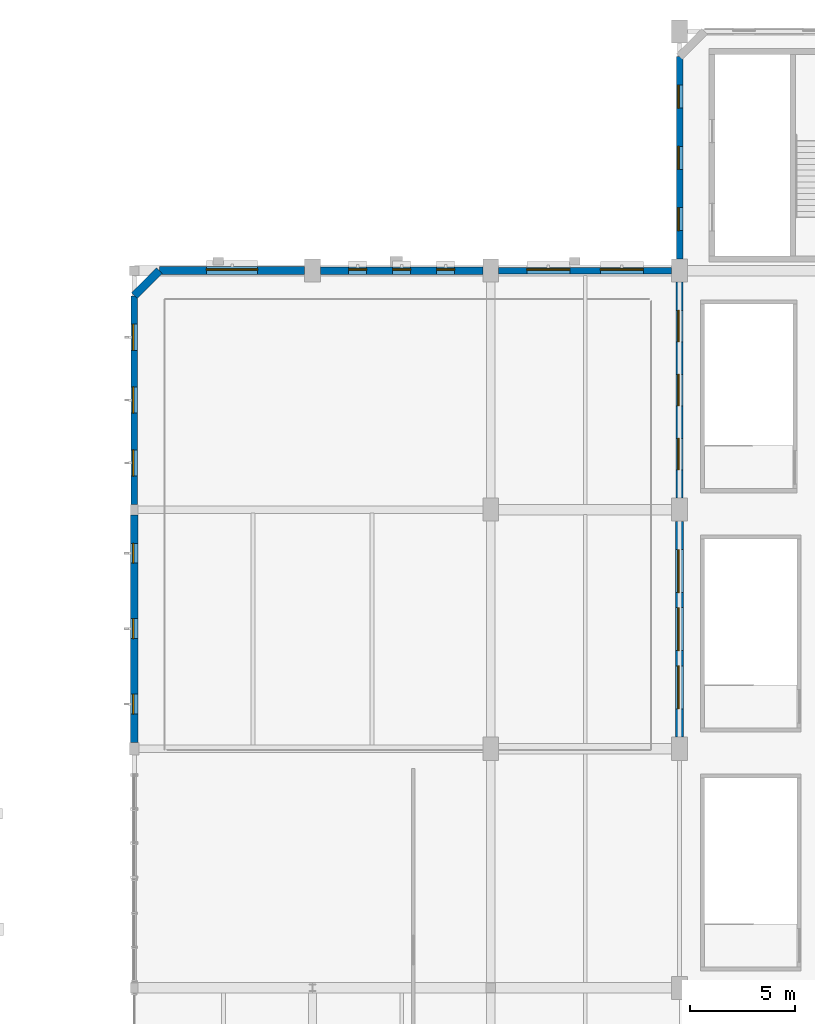
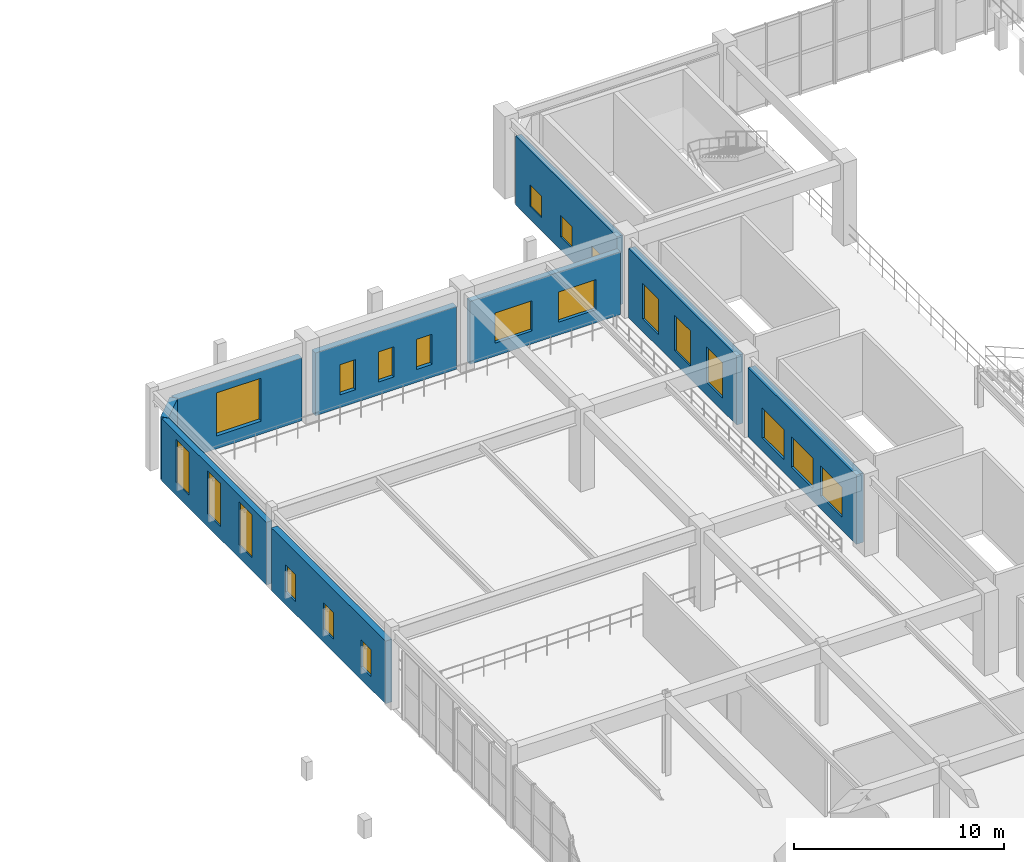
# One storey, part 86 of 106: 21 windows, 9 walls, 21 openings.
"""IFC4 building model written with IfcOpenShell, lengths in metres."""

import ifcopenshell
import ifcopenshell.guid

model = None  # the IFC model being written
_history = None  # IfcOwnerHistory: only IFC2X3 demands one
_inside = {}  # id of a spatial element -> (the spatial element, [elements in it])
_under = {}  # id of a project, library or spatial element -> (it, [spatial elements below it])
_declared = {}  # id of a project -> (the project, [libraries it declares])
_typed = {}  # id of a type object -> (the type object, [elements of that type])
_made_of = {}  # id of a material, layer set ... -> (it, [elements and type objects made of it])


def new_model(schema):
    """Start an empty IFC model of exactly this schema.

    Asked for "IFC4X3", IfcOpenShell would pick the latest addendum, in which some entities
    have other attributes; the version numbers below select the first issue.
    IFC2X3 requires an IfcOwnerHistory on every rooted entity: one is made here for all.
    """
    global model, _history
    if schema == "IFC4X3":
        model = ifcopenshell.file(schema_version=(4, 3, 0, 0))
    else:
        model = ifcopenshell.file(schema=schema)
    _inside.clear()
    _under.clear()
    _declared.clear()
    _typed.clear()
    _made_of.clear()
    _history = None
    if model.schema == "IFC2X3":
        org = make("IfcOrganization", Name="unknown")
        user = make(
            "IfcPersonAndOrganization",
            ThePerson=make("IfcPerson", FamilyName="unknown"),
            TheOrganization=org,
        )
        app = make(
            "IfcApplication",
            ApplicationDeveloper=org,
            Version="unknown",
            ApplicationFullName="unknown",
            ApplicationIdentifier="unknown",
        )
        _history = make(
            "IfcOwnerHistory",
            OwningUser=user,
            OwningApplication=app,
            ChangeAction="ADDED",
            CreationDate=0,
        )
    return model


def make(cls, **values):
    """One entity of the class cls with the attributes given. An attribute that is None is left unset."""
    return model.create_entity(
        cls, **{name: value for name, value in values.items() if value is not None}
    )


def rooted(cls, **values):
    """An entity with a GlobalId (a new one), such as an element, a storey or a relation."""
    return make(cls, GlobalId=ifcopenshell.guid.new(), OwnerHistory=_history, **values)


def si_unit(unit_type, name, prefix=None):
    """IfcSIUnit, for example si_unit("LENGTHUNIT", "METRE", prefix="MILLI")."""
    return make("IfcSIUnit", UnitType=unit_type, Prefix=prefix, Name=name)


def assignment(units):
    """IfcUnitAssignment: the units of a project."""
    return None if units is None else make("IfcUnitAssignment", Units=units)


def point(xyz):
    """IfcCartesianPoint."""
    return None if xyz is None else make("IfcCartesianPoint", Coordinates=xyz)


def direction(xyz):
    """IfcDirection."""
    return None if xyz is None else make("IfcDirection", DirectionRatios=xyz)


def frame(location, z_axis=None, x_axis=None):
    """IfcAxis2Placement3D, a coordinate frame: its origin and axes. An axis left out is left unset."""
    return make(
        "IfcAxis2Placement3D",
        Location=point(location),
        Axis=direction(z_axis),
        RefDirection=direction(x_axis),
    )


def frame_2d(location, x_axis=None):
    """IfcAxis2Placement2D, a coordinate frame in the plane: its origin and x axis."""
    return make(
        "IfcAxis2Placement2D", Location=point(location), RefDirection=direction(x_axis)
    )


def origin():
    """The frame at (0, 0, 0) with its axes left unset."""
    return frame((0.0, 0.0, 0.0))


def place(relative_to, where):
    """IfcLocalPlacement: puts the frame where relative to a parent placement (None: the world)."""
    return make(
        "IfcLocalPlacement", PlacementRelTo=relative_to, RelativePlacement=where
    )


def context(
    kind, dimensions, precision=None, world=None, true_north=None, identifier=None
):
    """IfcGeometricRepresentationContext, for example the 3D "Model" context."""
    return make(
        "IfcGeometricRepresentationContext",
        ContextIdentifier=identifier,
        ContextType=kind,
        CoordinateSpaceDimension=dimensions,
        Precision=precision,
        WorldCoordinateSystem=world,
        TrueNorth=true_north,
    )


def subcontext(parent, identifier, kind, view, scale=None):
    """IfcGeometricRepresentationSubContext, for example "Body" below "Model"."""
    return make(
        "IfcGeometricRepresentationSubContext",
        ContextIdentifier=identifier,
        ContextType=kind,
        ParentContext=parent,
        TargetScale=scale,
        TargetView=view,
    )


def project(units=None, contexts=None):
    """IfcProject with its units and contexts."""
    return rooted(
        "IfcProject",
        Name="project",
        RepresentationContexts=contexts,
        UnitsInContext=assignment(units),
    )


def spatial(cls, under=None, at=None, **own):
    """A site, building, storey or space (cls), placed at a placement, below another one or the project."""
    s = rooted(cls, ObjectPlacement=at, **own)
    if under is not None:
        _under.setdefault(under.id(), (under, []))[1].append(s)
    return s


def profile(cls, at=None, kind="AREA", **sizes):
    """A parametric profile (cls). Its sizes go by their IFC names, for example OverallWidth=200.0."""
    return make(cls, ProfileType=kind, Position=at, **sizes)


def rectangle(**sizes):
    """IfcRectangleProfileDef."""
    return profile("IfcRectangleProfileDef", **sizes)


def extrude(swept, where, along, depth):
    """IfcExtrudedAreaSolid: the profile swept, set in the frame where, extruded along a direction by depth."""
    return make(
        "IfcExtrudedAreaSolid",
        SweptArea=swept,
        Position=where,
        ExtrudedDirection=direction(along),
        Depth=depth,
    )


def shape(context_of_items, identifier, shape_type, items):
    """IfcShapeRepresentation: the items that make up one representation, for example the "Body"."""
    return make(
        "IfcShapeRepresentation",
        ContextOfItems=context_of_items,
        RepresentationIdentifier=identifier,
        RepresentationType=shape_type,
        Items=items,
    )


def material(Name=None, Category=None):
    """IfcMaterial."""
    return make("IfcMaterial", Name=Name, Category=Category)


def layer(
    of_material, thickness, ventilated=None, Name=None, Category=None, Priority=None
):
    """IfcMaterialLayer: one layer of a wall or slab, of a material (None: an air gap)."""
    return make(
        "IfcMaterialLayer",
        Material=of_material,
        LayerThickness=thickness,
        IsVentilated=ventilated,
        Name=Name,
        Category=Category,
        Priority=Priority,
    )


def layer_set(layers, Name=None):
    """IfcMaterialLayerSet."""
    return make("IfcMaterialLayerSet", MaterialLayers=layers, LayerSetName=Name)


def made_of(thing, what):
    """Note that an element or type object is made of a material, layer set ...; save() writes the relation."""
    if what is not None:
        _made_of.setdefault(what.id(), (what, []))[1].append(thing)
    return thing


def type_object(cls, material=None, **own):
    """A type object (cls), such as IfcWallType, which elements share."""
    return made_of(rooted(cls, **own), material)


def element(
    cls,
    number,
    at=None,
    inside=None,
    cuts=None,
    type_object=None,
    material=None,
    context=None,
    identifier="Body",
    shape_type=None,
    held_by="IfcProductDefinitionShape",
    body=None,
    shapes=None,
    **own,
):
    """One element of the class cls, such as IfcWall. Its Tag is "e" and its number.

    at: its placement. inside: the storey or other place that contains it. cuts: it is an
    opening in that element (IfcRelVoidsElement). A single representation is given by context,
    identifier, shape_type and body (its items); several are given by shapes. held_by: the class
    of the entity that holds the representations. save() writes the other relations.
    """
    e = rooted(cls, Tag="e%d" % number, ObjectPlacement=at, **own)
    if body is not None:
        shapes = [shape(context, identifier, shape_type, body)]
    if shapes is not None:
        e.Representation = make(held_by, Representations=shapes)
    if inside is not None:
        _inside.setdefault(inside.id(), (inside, []))[1].append(e)
    if cuts is not None:
        rooted(
            "IfcRelVoidsElement", RelatingBuildingElement=cuts, RelatedOpeningElement=e
        )
    if type_object is not None:
        _typed.setdefault(type_object.id(), (type_object, []))[1].append(e)
    return made_of(e, material)


def fill(opening, filler):
    """IfcRelFillsElement: the door or window that sits in an opening."""
    return rooted(
        "IfcRelFillsElement",
        RelatingOpeningElement=opening,
        RelatedBuildingElement=filler,
    )


def aggregate(whole, parts):
    """IfcRelAggregates: a whole, such as a stair, and the parts it consists of."""
    return rooted("IfcRelAggregates", RelatingObject=whole, RelatedObjects=parts)


def save(model, path):
    """Write the relations noted so far, then the file.

    IfcRelAggregates (storeys below a building ...), IfcRelContainedInSpatialStructure (elements
    in a storey), IfcRelDefinesByType, IfcRelAssociatesMaterial and IfcRelDeclares: one each for
    every whole, place, type object, material and project.
    """
    for whole, parts in _under.values():
        aggregate(whole, parts)
    for where, things in _inside.values():
        rooted(
            "IfcRelContainedInSpatialStructure",
            RelatedElements=things,
            RelatingStructure=where,
        )
    for kind, things in _typed.values():
        rooted("IfcRelDefinesByType", RelatedObjects=things, RelatingType=kind)
    for what, things in _made_of.values():
        rooted("IfcRelAssociatesMaterial", RelatedObjects=things, RelatingMaterial=what)
    for by, libraries in _declared.values():
        rooted("IfcRelDeclares", RelatingContext=by, RelatedDefinitions=libraries)
    model.write(path)


model = new_model("IFC4")

# Units and contexts
model_context = context("Model", 3, precision=1e-05, world=origin(), true_north=direction((0.0, 1.0)))
body_context = subcontext(model_context, "Body", "Model", "MODEL_VIEW")
ifc_project = project(units=[si_unit("LENGTHUNIT", "METRE"), si_unit("AREAUNIT", "SQUARE_METRE"), si_unit("VOLUMEUNIT", "CUBIC_METRE"), si_unit("PLANEANGLEUNIT", "RADIAN"), si_unit("MASSUNIT", "GRAM", prefix="KILO"), si_unit("POWERUNIT", "WATT"), si_unit("THERMODYNAMICTEMPERATUREUNIT", "KELVIN")], contexts=[model_context])

# Site, building, storey
site_placement = place(None, origin())
site = spatial("IfcSite", under=ifc_project, at=site_placement, CompositionType="ELEMENT")
building_placement = place(site_placement, origin())
building = spatial("IfcBuilding", under=site, at=building_placement, Name="Kelmbourne Parkland Aquatics Centre", CompositionType="ELEMENT")
storey_placement = place(building_placement, frame((0.0, 0.0, 5.39990234375)))
storey = spatial("IfcBuildingStorey", under=building, at=storey_placement, Name="L01", CompositionType="ELEMENT", Elevation=5.39990234375)

# Wall, openings, windows
ifc_material_1 = material(Name="Russet clinker clay brickwork", Category="masonry")
ifc_layer_1 = layer(ifc_material_1, 0.31005859375)
ifc_layer_set_1 = layer_set([ifc_layer_1], Name="Russet clinker clay brickwork")
wall_type_1 = type_object("IfcWallType", Name="W-EXT-310", PredefinedType="STANDARD", material=ifc_layer_set_1)
wall_1_placement = place(storey_placement, frame((102.0, 92.251953125, 0.0), z_axis=(0.0, 0.0, 1.0), x_axis=(0.0, 1.0, 0.0)))
wall_1 = element("IfcWall", 1, at=wall_1_placement, inside=storey, type_object=wall_type_1, Name="Exterior polychrome brick wall EW-L01-083", PredefinedType="STANDARD", context=body_context, shape_type="SweptSolid", body=[
    extrude(rectangle(XDim=9.947998046875, YDim=0.31005859375, at=frame_2d((4.97412109375, 0.0))), origin(), (0.0, 0.0, 1.0), 3.635009765625),
])
opening_1_placement = place(wall_1_placement, frame((1.35009765625, 0.0, 0.75)))
opening_1 = element("IfcOpeningElement", 2, at=opening_1_placement, cuts=wall_1, Name="Opening W25", PredefinedType="OPENING", context=body_context, shape_type="SweptSolid", body=[
    extrude(rectangle(XDim=1.25, YDim=2.5, at=frame_2d((0.625, 1.25))), frame((0.0, 0.1669921875, 0.0), z_axis=(0.0, -1.0, 0.0), x_axis=(1.0, 0.0, 0.0)), (0.0, 0.0, 1.0), 0.333984375),
])
opening_2_placement = place(wall_1_placement, frame((4.34912109375, 0.0, 0.75)))
opening_2 = element("IfcOpeningElement", 3, at=opening_2_placement, cuts=wall_1, Name="Opening W25", PredefinedType="OPENING", context=body_context, shape_type="SweptSolid", body=[
    extrude(rectangle(XDim=1.25, YDim=2.5, at=frame_2d((0.625, 1.25))), frame((0.0, 0.1669921875, 0.0), z_axis=(0.0, -1.0, 0.0), x_axis=(1.0, 0.0, 0.0)), (0.0, 0.0, 1.0), 0.333984375),
])
opening_3_placement = place(wall_1_placement, frame((7.347900390625, 0.0, 0.75)))
opening_3 = element("IfcOpeningElement", 4, at=opening_3_placement, cuts=wall_1, Name="Opening W25", PredefinedType="OPENING", context=body_context, shape_type="SweptSolid", body=[
    extrude(rectangle(XDim=1.25, YDim=2.5, at=frame_2d((0.625, 1.25))), frame((0.0, 0.1669921875, 0.0), z_axis=(0.0, -1.0, 0.0), x_axis=(1.0, 0.0, 0.0)), (0.0, 0.0, 1.0), 0.333984375),
])
ifc_material_2 = material(Name="Thermally broken anodised aluminium window with low-e glass", Category="aluminium")
ifc_layer_2 = layer(ifc_material_2, 0.090087890625)
ifc_layer_set_2 = layer_set([ifc_layer_2], Name="Thermally broken anodised aluminium window with low-e glass")
window_type_1 = type_object("IfcWindowType", Name="WN-25", PartitioningType="SINGLE_PANEL", PredefinedType="WINDOW", material=ifc_layer_set_2)
window_1_placement = place(opening_1_placement, origin())
window_1 = element("IfcWindow", 5, at=window_1_placement, inside=storey, type_object=window_type_1, Name="Deep-reveal masonry window W25", OverallHeight=2.5, OverallWidth=1.25, PartitioningType="SINGLE_PANEL", PredefinedType="WINDOW", context=body_context, shape_type="SweptSolid", body=[
    extrude(rectangle(XDim=1.25, YDim=2.5, at=frame_2d((0.625, 1.25))), frame((0.0, 0.080078125, 0.0), z_axis=(0.0, -1.0, 0.0), x_axis=(1.0, 0.0, 0.0)), (0.0, 0.0, 1.0), 0.06005859375),
])
fill(opening_1, window_1)
window_2_placement = place(opening_2_placement, origin())
window_2 = element("IfcWindow", 6, at=window_2_placement, inside=storey, type_object=window_type_1, Name="Deep-reveal masonry window W25", OverallHeight=2.5, OverallWidth=1.25, PartitioningType="SINGLE_PANEL", PredefinedType="WINDOW", context=body_context, shape_type="SweptSolid", body=[
    extrude(rectangle(XDim=1.25, YDim=2.5, at=frame_2d((0.625, 1.25))), frame((0.0, 0.080078125, 0.0), z_axis=(0.0, -1.0, 0.0), x_axis=(1.0, 0.0, 0.0)), (0.0, 0.0, 1.0), 0.06005859375),
])
fill(opening_2, window_2)
window_3_placement = place(opening_3_placement, origin())
window_3 = element("IfcWindow", 7, at=window_3_placement, inside=storey, type_object=window_type_1, Name="Deep-reveal masonry window W25", OverallHeight=2.5, OverallWidth=1.25, PartitioningType="SINGLE_PANEL", PredefinedType="WINDOW", context=body_context, shape_type="SweptSolid", body=[
    extrude(rectangle(XDim=1.25, YDim=2.5, at=frame_2d((0.625, 1.25))), frame((0.0, 0.080078125, 0.0), z_axis=(0.0, -1.0, 0.0), x_axis=(1.0, 0.0, 0.0)), (0.0, 0.0, 1.0), 0.06005859375),
])
fill(opening_3, window_3)

wall_2_placement = place(storey_placement, frame((119.376953125, 103.39990234375, 0.0), z_axis=(0.0, 0.0, 1.0), x_axis=(1.0, 0.0, 0.0)))
wall_2 = element("IfcWall", 8, at=wall_2_placement, inside=storey, type_object=wall_type_1, Name="Exterior polychrome brick wall EW-L01-086", PredefinedType="STANDARD", context=body_context, shape_type="SweptSolid", body=[
    extrude(rectangle(XDim=8.24609375, YDim=0.31005859375, at=frame_2d((4.123046875, 0.0))), origin(), (0.0, 0.0, 1.0), 3.64501953125),
])
opening_4_placement = place(wall_2_placement, frame((1.35009765625, 0.0, 0.75)))
opening_4 = element("IfcOpeningElement", 9, at=opening_4_placement, cuts=wall_2, Name="Opening W05", PredefinedType="OPENING", context=body_context, shape_type="SweptSolid", body=[
    extrude(rectangle(XDim=2.050048828125, YDim=1.75, at=frame_2d((1.02490234375, 0.875))), frame((0.0, 0.1669921875, 0.0), z_axis=(0.0, -1.0, 0.0), x_axis=(1.0, 0.0, 0.0)), (0.0, 0.0, 1.0), 0.333984375),
])
opening_5_placement = place(wall_2_placement, frame((4.845947265625, 0.0, 0.75)))
opening_5 = element("IfcOpeningElement", 10, at=opening_5_placement, cuts=wall_2, Name="Opening W05", PredefinedType="OPENING", context=body_context, shape_type="SweptSolid", body=[
    extrude(rectangle(XDim=2.050048828125, YDim=1.75, at=frame_2d((1.02490234375, 0.875))), frame((0.0, 0.1669921875, 0.0), z_axis=(0.0, -1.0, 0.0), x_axis=(1.0, 0.0, 0.0)), (0.0, 0.0, 1.0), 0.333984375),
])
ifc_layer_3 = layer(ifc_material_2, 0.090087890625)
ifc_layer_set_3 = layer_set([ifc_layer_3], Name="Thermally broken anodised aluminium window with low-e glass")
window_type_2 = type_object("IfcWindowType", Name="WN-05", PartitioningType="TRIPLE_PANEL_VERTICAL", PredefinedType="WINDOW", material=ifc_layer_set_3)
window_4_placement = place(opening_4_placement, origin())
window_4 = element("IfcWindow", 11, at=window_4_placement, inside=storey, type_object=window_type_2, Name="Deep-reveal masonry window W05", OverallHeight=1.75, OverallWidth=2.050048828125, PartitioningType="TRIPLE_PANEL_VERTICAL", PredefinedType="WINDOW", context=body_context, shape_type="SweptSolid", body=[
    extrude(rectangle(XDim=2.050048828125, YDim=1.75, at=frame_2d((1.02490234375, 0.875))), frame((0.0, 0.080078125, 0.0), z_axis=(0.0, -1.0, 0.0), x_axis=(1.0, 0.0, 0.0)), (0.0, 0.0, 1.0), 0.06005859375),
])
fill(opening_4, window_4)
window_5_placement = place(opening_5_placement, origin())
window_5 = element("IfcWindow", 12, at=window_5_placement, inside=storey, type_object=window_type_2, Name="Deep-reveal masonry window W05", OverallHeight=1.75, OverallWidth=2.050048828125, PartitioningType="TRIPLE_PANEL_VERTICAL", PredefinedType="WINDOW", context=body_context, shape_type="SweptSolid", body=[
    extrude(rectangle(XDim=2.050048828125, YDim=1.75, at=frame_2d((1.02490234375, 0.875))), frame((0.0, 0.080078125, 0.0), z_axis=(0.0, -1.0, 0.0), x_axis=(1.0, 0.0, 0.0)), (0.0, 0.0, 1.0), 0.06005859375),
])
fill(opening_5, window_5)

wall_3_placement = place(storey_placement, frame((128.0, 103.951904296875, 0.0), z_axis=(0.0, 0.0, 1.0), x_axis=(0.0, 1.0, 0.0)))
wall_3 = element("IfcWall", 13, at=wall_3_placement, inside=storey, type_object=wall_type_1, Name="Exterior polychrome brick wall EW-L01-089", PredefinedType="STANDARD", context=body_context, shape_type="SweptSolid", body=[
    extrude(rectangle(XDim=9.648193359375, YDim=0.31005859375, at=frame_2d((4.82421875, 0.0))), origin(), (0.0, 0.0, 1.0), 4.01220703125),
])
opening_6_placement = place(wall_3_placement, frame((1.35009765625, 0.0, 0.75)))
opening_6 = element("IfcOpeningElement", 14, at=opening_6_placement, cuts=wall_3, Name="Opening W13", PredefinedType="OPENING", context=body_context, shape_type="SweptSolid", body=[
    extrude(rectangle(XDim=1.10009765625, YDim=1.25, at=frame_2d((0.550048828125, 0.625))), frame((0.0, 0.1669921875, 0.0), z_axis=(0.0, -1.0, 0.0), x_axis=(1.0, 0.0, 0.0)), (0.0, 0.0, 1.0), 0.333984375),
])
opening_7_placement = place(wall_3_placement, frame((4.27392578125, 0.0, 0.75)))
opening_7 = element("IfcOpeningElement", 15, at=opening_7_placement, cuts=wall_3, Name="Opening W13", PredefinedType="OPENING", context=body_context, shape_type="SweptSolid", body=[
    extrude(rectangle(XDim=1.10009765625, YDim=1.25, at=frame_2d((0.550048828125, 0.625))), frame((0.0, 0.1669921875, 0.0), z_axis=(0.0, -1.0, 0.0), x_axis=(1.0, 0.0, 0.0)), (0.0, 0.0, 1.0), 0.333984375),
])
opening_8_placement = place(wall_3_placement, frame((7.197998046875, 0.0, 0.75)))
opening_8 = element("IfcOpeningElement", 16, at=opening_8_placement, cuts=wall_3, Name="Opening W13", PredefinedType="OPENING", context=body_context, shape_type="SweptSolid", body=[
    extrude(rectangle(XDim=1.10009765625, YDim=1.25, at=frame_2d((0.550048828125, 0.625))), frame((0.0, 0.1669921875, 0.0), z_axis=(0.0, -1.0, 0.0), x_axis=(1.0, 0.0, 0.0)), (0.0, 0.0, 1.0), 0.333984375),
])
ifc_layer_4 = layer(ifc_material_2, 0.090087890625)
ifc_layer_set_4 = layer_set([ifc_layer_4], Name="Thermally broken anodised aluminium window with low-e glass")
window_type_3 = type_object("IfcWindowType", Name="WN-13", PartitioningType="SINGLE_PANEL", PredefinedType="WINDOW", material=ifc_layer_set_4)
window_6_placement = place(opening_6_placement, origin())
window_6 = element("IfcWindow", 17, at=window_6_placement, inside=storey, type_object=window_type_3, Name="Deep-reveal masonry window W13", OverallHeight=1.25, OverallWidth=1.10009765625, PartitioningType="SINGLE_PANEL", PredefinedType="WINDOW", context=body_context, shape_type="SweptSolid", body=[
    extrude(rectangle(XDim=1.10009765625, YDim=1.25, at=frame_2d((0.550048828125, 0.625))), frame((0.0, 0.080078125, 0.0), z_axis=(0.0, -1.0, 0.0), x_axis=(1.0, 0.0, 0.0)), (0.0, 0.0, 1.0), 0.06005859375),
])
fill(opening_6, window_6)
window_7_placement = place(opening_7_placement, origin())
window_7 = element("IfcWindow", 18, at=window_7_placement, inside=storey, type_object=window_type_3, Name="Deep-reveal masonry window W13", OverallHeight=1.25, OverallWidth=1.10009765625, PartitioningType="SINGLE_PANEL", PredefinedType="WINDOW", context=body_context, shape_type="SweptSolid", body=[
    extrude(rectangle(XDim=1.10009765625, YDim=1.25, at=frame_2d((0.550048828125, 0.625))), frame((0.0, 0.080078125, 0.0), z_axis=(0.0, -1.0, 0.0), x_axis=(1.0, 0.0, 0.0)), (0.0, 0.0, 1.0), 0.06005859375),
])
fill(opening_7, window_7)
window_8_placement = place(opening_8_placement, origin())
window_8 = element("IfcWindow", 19, at=window_8_placement, inside=storey, type_object=window_type_3, Name="Deep-reveal masonry window W13", OverallHeight=1.25, OverallWidth=1.10009765625, PartitioningType="SINGLE_PANEL", PredefinedType="WINDOW", context=body_context, shape_type="SweptSolid", body=[
    extrude(rectangle(XDim=1.10009765625, YDim=1.25, at=frame_2d((0.550048828125, 0.625))), frame((0.0, 0.080078125, 0.0), z_axis=(0.0, -1.0, 0.0), x_axis=(1.0, 0.0, 0.0)), (0.0, 0.0, 1.0), 0.06005859375),
])
fill(opening_8, window_8)

ifc_material_3 = material(Name="Polychrome glazed brick header coursework", Category="masonry")
ifc_layer_5 = layer(ifc_material_3, 0.35009765625)
ifc_layer_set_5 = layer_set([ifc_layer_5], Name="Polychrome glazed brick header coursework")
wall_type_2 = type_object("IfcWallType", Name="W-EXT-350", PredefinedType="STANDARD", material=ifc_layer_set_5)
wall_4_placement = place(storey_placement, frame((102.0, 80.902099609375, 0.0), z_axis=(0.0, 0.0, 1.0), x_axis=(0.0, 1.0, 0.0)))
wall_4 = element("IfcWall", 20, at=wall_4_placement, inside=storey, type_object=wall_type_2, Name="Exterior polychrome brick wall EW-L01-082", PredefinedType="STANDARD", context=body_context, shape_type="SweptSolid", body=[
    extrude(rectangle(XDim=10.845947265625, YDim=0.35009765625, at=frame_2d((5.4228515625, 0.0))), origin(), (0.0, 0.0, 1.0), 3.635009765625),
])
opening_9_placement = place(wall_4_placement, frame((1.35009765625, 0.0, 0.75)))
opening_9 = element("IfcOpeningElement", 21, at=opening_9_placement, cuts=wall_4, Name="Opening W21", PredefinedType="OPENING", context=body_context, shape_type="SweptSolid", body=[
    extrude(rectangle(XDim=0.949951171875, YDim=1.550048828125, at=frame_2d((0.47509765625, 0.77490234375))), frame((0.0, 0.18701171875, 0.0), z_axis=(0.0, -1.0, 0.0), x_axis=(1.0, 0.0, 0.0)), (0.0, 0.0, 1.0), 0.3740234375),
])
opening_10_placement = place(wall_4_placement, frame((4.947998046875, 0.0, 0.75)))
opening_10 = element("IfcOpeningElement", 22, at=opening_10_placement, cuts=wall_4, Name="Opening W21", PredefinedType="OPENING", context=body_context, shape_type="SweptSolid", body=[
    extrude(rectangle(XDim=0.949951171875, YDim=1.550048828125, at=frame_2d((0.47509765625, 0.77490234375))), frame((0.0, 0.18701171875, 0.0), z_axis=(0.0, -1.0, 0.0), x_axis=(1.0, 0.0, 0.0)), (0.0, 0.0, 1.0), 0.3740234375),
])
opening_11_placement = place(wall_4_placement, frame((8.5458984375, 0.0, 0.75)))
opening_11 = element("IfcOpeningElement", 23, at=opening_11_placement, cuts=wall_4, Name="Opening W21", PredefinedType="OPENING", context=body_context, shape_type="SweptSolid", body=[
    extrude(rectangle(XDim=0.949951171875, YDim=1.550048828125, at=frame_2d((0.47509765625, 0.77490234375))), frame((0.0, 0.18701171875, 0.0), z_axis=(0.0, -1.0, 0.0), x_axis=(1.0, 0.0, 0.0)), (0.0, 0.0, 1.0), 0.3740234375),
])
ifc_layer_6 = layer(ifc_material_2, 0.090087890625)
ifc_layer_set_6 = layer_set([ifc_layer_6], Name="Thermally broken anodised aluminium window with low-e glass")
window_type_4 = type_object("IfcWindowType", Name="WN-21", PartitioningType="SINGLE_PANEL", PredefinedType="WINDOW", material=ifc_layer_set_6)
window_9_placement = place(opening_9_placement, origin())
window_9 = element("IfcWindow", 24, at=window_9_placement, inside=storey, type_object=window_type_4, Name="Deep-reveal masonry window W21", OverallHeight=1.550048828125, OverallWidth=0.949951171875, PartitioningType="SINGLE_PANEL", PredefinedType="WINDOW", context=body_context, shape_type="SweptSolid", body=[
    extrude(rectangle(XDim=0.949951171875, YDim=1.550048828125, at=frame_2d((0.47509765625, 0.77490234375))), frame((0.0, 0.080078125, 0.0), z_axis=(0.0, -1.0, 0.0), x_axis=(1.0, 0.0, 0.0)), (0.0, 0.0, 1.0), 0.06005859375),
])
fill(opening_9, window_9)
window_10_placement = place(opening_10_placement, origin())
window_10 = element("IfcWindow", 25, at=window_10_placement, inside=storey, type_object=window_type_4, Name="Deep-reveal masonry window W21", OverallHeight=1.550048828125, OverallWidth=0.949951171875, PartitioningType="SINGLE_PANEL", PredefinedType="WINDOW", context=body_context, shape_type="SweptSolid", body=[
    extrude(rectangle(XDim=0.949951171875, YDim=1.550048828125, at=frame_2d((0.47509765625, 0.77490234375))), frame((0.0, 0.080078125, 0.0), z_axis=(0.0, -1.0, 0.0), x_axis=(1.0, 0.0, 0.0)), (0.0, 0.0, 1.0), 0.06005859375),
])
fill(opening_10, window_10)
window_11_placement = place(opening_11_placement, origin())
window_11 = element("IfcWindow", 26, at=window_11_placement, inside=storey, type_object=window_type_4, Name="Deep-reveal masonry window W21", OverallHeight=1.550048828125, OverallWidth=0.949951171875, PartitioningType="SINGLE_PANEL", PredefinedType="WINDOW", context=body_context, shape_type="SweptSolid", body=[
    extrude(rectangle(XDim=0.949951171875, YDim=1.550048828125, at=frame_2d((0.47509765625, 0.77490234375))), frame((0.0, 0.080078125, 0.0), z_axis=(0.0, -1.0, 0.0), x_axis=(1.0, 0.0, 0.0)), (0.0, 0.0, 1.0), 0.06005859375),
])
fill(opening_11, window_11)

wall_5_placement = place(storey_placement, frame((110.876953125, 103.39990234375, 0.0), z_axis=(0.0, 0.0, 1.0), x_axis=(1.0, 0.0, 0.0)))
wall_5 = element("IfcWall", 27, at=wall_5_placement, inside=storey, type_object=wall_type_2, Name="Exterior polychrome brick wall EW-L01-085", PredefinedType="STANDARD", context=body_context, shape_type="SweptSolid", body=[
    extrude(rectangle(XDim=7.74609375, YDim=0.35009765625, at=frame_2d((3.873046875, 0.0))), origin(), (0.0, 0.0, 1.0), 3.64501953125),
])
opening_12_placement = place(wall_5_placement, frame((1.35009765625, 0.0, 0.75)))
opening_12 = element("IfcOpeningElement", 28, at=opening_12_placement, cuts=wall_5, Name="Opening W01", PredefinedType="OPENING", context=body_context, shape_type="SweptSolid", body=[
    extrude(rectangle(XDim=0.85009765625, YDim=1.75, at=frame_2d((0.425048828125, 0.875))), frame((0.0, 0.18701171875, 0.0), z_axis=(0.0, -1.0, 0.0), x_axis=(1.0, 0.0, 0.0)), (0.0, 0.0, 1.0), 0.3740234375),
])
opening_13_placement = place(wall_5_placement, frame((3.447998046875, 0.0, 0.75)))
opening_13 = element("IfcOpeningElement", 29, at=opening_13_placement, cuts=wall_5, Name="Opening W01", PredefinedType="OPENING", context=body_context, shape_type="SweptSolid", body=[
    extrude(rectangle(XDim=0.85009765625, YDim=1.75, at=frame_2d((0.425048828125, 0.875))), frame((0.0, 0.18701171875, 0.0), z_axis=(0.0, -1.0, 0.0), x_axis=(1.0, 0.0, 0.0)), (0.0, 0.0, 1.0), 0.3740234375),
])
opening_14_placement = place(wall_5_placement, frame((5.5458984375, 0.0, 0.75)))
opening_14 = element("IfcOpeningElement", 30, at=opening_14_placement, cuts=wall_5, Name="Opening W01", PredefinedType="OPENING", context=body_context, shape_type="SweptSolid", body=[
    extrude(rectangle(XDim=0.85009765625, YDim=1.75, at=frame_2d((0.425048828125, 0.875))), frame((0.0, 0.18701171875, 0.0), z_axis=(0.0, -1.0, 0.0), x_axis=(1.0, 0.0, 0.0)), (0.0, 0.0, 1.0), 0.3740234375),
])
ifc_layer_7 = layer(ifc_material_2, 0.090087890625)
ifc_layer_set_7 = layer_set([ifc_layer_7], Name="Thermally broken anodised aluminium window with low-e glass")
window_type_5 = type_object("IfcWindowType", Name="WN-01", PartitioningType="SINGLE_PANEL", PredefinedType="WINDOW", material=ifc_layer_set_7)
window_12_placement = place(opening_12_placement, origin())
window_12 = element("IfcWindow", 31, at=window_12_placement, inside=storey, type_object=window_type_5, Name="Deep-reveal masonry window W01", OverallHeight=1.75, OverallWidth=0.85009765625, PartitioningType="SINGLE_PANEL", PredefinedType="WINDOW", context=body_context, shape_type="SweptSolid", body=[
    extrude(rectangle(XDim=0.85009765625, YDim=1.75, at=frame_2d((0.425048828125, 0.875))), frame((0.0, 0.080078125, 0.0), z_axis=(0.0, -1.0, 0.0), x_axis=(1.0, 0.0, 0.0)), (0.0, 0.0, 1.0), 0.06005859375),
])
fill(opening_12, window_12)
window_13_placement = place(opening_13_placement, origin())
window_13 = element("IfcWindow", 32, at=window_13_placement, inside=storey, type_object=window_type_5, Name="Deep-reveal masonry window W01", OverallHeight=1.75, OverallWidth=0.85009765625, PartitioningType="SINGLE_PANEL", PredefinedType="WINDOW", context=body_context, shape_type="SweptSolid", body=[
    extrude(rectangle(XDim=0.85009765625, YDim=1.75, at=frame_2d((0.425048828125, 0.875))), frame((0.0, 0.080078125, 0.0), z_axis=(0.0, -1.0, 0.0), x_axis=(1.0, 0.0, 0.0)), (0.0, 0.0, 1.0), 0.06005859375),
])
fill(opening_13, window_13)
window_14_placement = place(opening_14_placement, origin())
window_14 = element("IfcWindow", 33, at=window_14_placement, inside=storey, type_object=window_type_5, Name="Deep-reveal masonry window W01", OverallHeight=1.75, OverallWidth=0.85009765625, PartitioningType="SINGLE_PANEL", PredefinedType="WINDOW", context=body_context, shape_type="SweptSolid", body=[
    extrude(rectangle(XDim=0.85009765625, YDim=1.75, at=frame_2d((0.425048828125, 0.875))), frame((0.0, 0.080078125, 0.0), z_axis=(0.0, -1.0, 0.0), x_axis=(1.0, 0.0, 0.0)), (0.0, 0.0, 1.0), 0.06005859375),
])
fill(opening_14, window_14)

wall_6_placement = place(storey_placement, frame((128.0, 92.552001953125, 0.0), z_axis=(0.0, 0.0, 1.0), x_axis=(0.0, 1.0, 0.0)))
wall_6 = element("IfcWall", 34, at=wall_6_placement, inside=storey, type_object=wall_type_2, Name="Exterior polychrome brick wall EW-L01-088", PredefinedType="STANDARD", context=body_context, shape_type="SweptSolid", body=[
    extrude(rectangle(XDim=10.2958984375, YDim=0.35009765625, at=frame_2d((5.14794921875, 0.0))), origin(), (0.0, 0.0, 1.0), 4.01220703125),
])
opening_15_placement = place(wall_6_placement, frame((1.35009765625, 0.0, 0.75)))
opening_15 = element("IfcOpeningElement", 35, at=opening_15_placement, cuts=wall_6, Name="Opening W09", PredefinedType="OPENING", context=body_context, shape_type="SweptSolid", body=[
    extrude(rectangle(XDim=1.5, YDim=2.050048828125, at=frame_2d((0.75, 1.02490234375))), frame((0.0, 0.18701171875, 0.0), z_axis=(0.0, -1.0, 0.0), x_axis=(1.0, 0.0, 0.0)), (0.0, 0.0, 1.0), 0.3740234375),
])
opening_16_placement = place(wall_6_placement, frame((4.39794921875, 0.0, 0.75)))
opening_16 = element("IfcOpeningElement", 36, at=opening_16_placement, cuts=wall_6, Name="Opening W09", PredefinedType="OPENING", context=body_context, shape_type="SweptSolid", body=[
    extrude(rectangle(XDim=1.5, YDim=2.050048828125, at=frame_2d((0.75, 1.02490234375))), frame((0.0, 0.18701171875, 0.0), z_axis=(0.0, -1.0, 0.0), x_axis=(1.0, 0.0, 0.0)), (0.0, 0.0, 1.0), 0.3740234375),
])
opening_17_placement = place(wall_6_placement, frame((7.446044921875, 0.0, 0.75)))
opening_17 = element("IfcOpeningElement", 37, at=opening_17_placement, cuts=wall_6, Name="Opening W09", PredefinedType="OPENING", context=body_context, shape_type="SweptSolid", body=[
    extrude(rectangle(XDim=1.5, YDim=2.050048828125, at=frame_2d((0.75, 1.02490234375))), frame((0.0, 0.18701171875, 0.0), z_axis=(0.0, -1.0, 0.0), x_axis=(1.0, 0.0, 0.0)), (0.0, 0.0, 1.0), 0.3740234375),
])
ifc_layer_8 = layer(ifc_material_2, 0.090087890625)
ifc_layer_set_8 = layer_set([ifc_layer_8], Name="Thermally broken anodised aluminium window with low-e glass")
window_type_6 = type_object("IfcWindowType", Name="WN-09", PartitioningType="DOUBLE_PANEL_VERTICAL", PredefinedType="WINDOW", material=ifc_layer_set_8)
window_15_placement = place(opening_15_placement, origin())
window_15 = element("IfcWindow", 38, at=window_15_placement, inside=storey, type_object=window_type_6, Name="Deep-reveal masonry window W09", OverallHeight=2.050048828125, OverallWidth=1.5, PartitioningType="DOUBLE_PANEL_VERTICAL", PredefinedType="WINDOW", context=body_context, shape_type="SweptSolid", body=[
    extrude(rectangle(XDim=1.5, YDim=2.050048828125, at=frame_2d((0.75, 1.02490234375))), frame((0.0, 0.080078125, 0.0), z_axis=(0.0, -1.0, 0.0), x_axis=(1.0, 0.0, 0.0)), (0.0, 0.0, 1.0), 0.06005859375),
])
fill(opening_15, window_15)
window_16_placement = place(opening_16_placement, origin())
window_16 = element("IfcWindow", 39, at=window_16_placement, inside=storey, type_object=window_type_6, Name="Deep-reveal masonry window W09", OverallHeight=2.050048828125, OverallWidth=1.5, PartitioningType="DOUBLE_PANEL_VERTICAL", PredefinedType="WINDOW", context=body_context, shape_type="SweptSolid", body=[
    extrude(rectangle(XDim=1.5, YDim=2.050048828125, at=frame_2d((0.75, 1.02490234375))), frame((0.0, 0.080078125, 0.0), z_axis=(0.0, -1.0, 0.0), x_axis=(1.0, 0.0, 0.0)), (0.0, 0.0, 1.0), 0.06005859375),
])
fill(opening_16, window_16)
window_17_placement = place(opening_17_placement, origin())
window_17 = element("IfcWindow", 40, at=window_17_placement, inside=storey, type_object=window_type_6, Name="Deep-reveal masonry window W09", OverallHeight=2.050048828125, OverallWidth=1.5, PartitioningType="DOUBLE_PANEL_VERTICAL", PredefinedType="WINDOW", context=body_context, shape_type="SweptSolid", body=[
    extrude(rectangle(XDim=1.5, YDim=2.050048828125, at=frame_2d((0.75, 1.02490234375))), frame((0.0, 0.080078125, 0.0), z_axis=(0.0, -1.0, 0.0), x_axis=(1.0, 0.0, 0.0)), (0.0, 0.0, 1.0), 0.06005859375),
])
fill(opening_17, window_17)

# Wall, opening, window
ifc_layer_9 = layer(ifc_material_1, 0.389892578125)
ifc_layer_set_9 = layer_set([ifc_layer_9], Name="Russet clinker clay brickwork")
wall_type_3 = type_object("IfcWallType", Name="W-EXT-390", PredefinedType="STANDARD", material=ifc_layer_set_9)
wall_7_placement = place(storey_placement, frame((103.199951171875, 103.39990234375, 0.0), z_axis=(0.0, 0.0, 1.0), x_axis=(1.0, 0.0, 0.0)))
wall_7 = element("IfcWall", 41, at=wall_7_placement, inside=storey, type_object=wall_type_3, Name="Exterior polychrome brick wall EW-L01-084", PredefinedType="STANDARD", context=body_context, shape_type="SweptSolid", body=[
    extrude(rectangle(XDim=6.923095703125, YDim=0.389892578125, at=frame_2d((3.46142578125, 0.0))), origin(), (0.0, 0.0, 1.0), 3.64501953125),
])
opening_18_placement = place(wall_7_placement, frame((2.236572265625, 0.0, 0.75)))
opening_18 = element("IfcOpeningElement", 42, at=opening_18_placement, cuts=wall_7, Name="Opening W27", PredefinedType="OPENING", context=body_context, shape_type="SweptSolid", body=[
    extrude(rectangle(XDim=2.449951171875, YDim=2.5, at=frame_2d((1.22509765625, 1.25))), frame((0.0, 0.20703125, 0.0), z_axis=(0.0, -1.0, 0.0), x_axis=(1.0, 0.0, 0.0)), (0.0, 0.0, 1.0), 0.413818359375),
])
ifc_layer_10 = layer(ifc_material_2, 0.090087890625)
ifc_layer_set_10 = layer_set([ifc_layer_10], Name="Thermally broken anodised aluminium window with low-e glass")
window_type_7 = type_object("IfcWindowType", Name="WN-27", PartitioningType="TRIPLE_PANEL_VERTICAL", PredefinedType="WINDOW", material=ifc_layer_set_10)
window_18_placement = place(opening_18_placement, origin())
window_18 = element("IfcWindow", 43, at=window_18_placement, inside=storey, type_object=window_type_7, Name="Deep-reveal masonry window W27", OverallHeight=2.5, OverallWidth=2.449951171875, PartitioningType="TRIPLE_PANEL_VERTICAL", PredefinedType="WINDOW", context=body_context, shape_type="SweptSolid", body=[
    extrude(rectangle(XDim=2.449951171875, YDim=2.5, at=frame_2d((1.22509765625, 1.25))), frame((0.0, 0.080078125, 0.0), z_axis=(0.0, -1.0, 0.0), x_axis=(1.0, 0.0, 0.0)), (0.0, 0.0, 1.0), 0.06005859375),
])
fill(opening_18, window_18)

# Wall, openings, windows
wall_8_placement = place(storey_placement, frame((128.0, 81.152099609375, 0.0), z_axis=(0.0, 0.0, 1.0), x_axis=(0.0, 1.0, 0.0)))
wall_8 = element("IfcWall", 44, at=wall_8_placement, inside=storey, type_object=wall_type_3, Name="Exterior polychrome brick wall EW-L01-087", PredefinedType="STANDARD", context=body_context, shape_type="SweptSolid", body=[
    extrude(rectangle(XDim=10.2958984375, YDim=0.389892578125, at=frame_2d((5.14794921875, 0.0))), origin(), (0.0, 0.0, 1.0), 4.01220703125),
])
opening_19_placement = place(wall_8_placement, frame((1.35009765625, 0.0, 0.75)))
opening_19 = element("IfcOpeningElement", 45, at=opening_19_placement, cuts=wall_8, Name="Opening W05", PredefinedType="OPENING", context=body_context, shape_type="SweptSolid", body=[
    extrude(rectangle(XDim=2.050048828125, YDim=1.75, at=frame_2d((1.02490234375, 0.875))), frame((0.0, 0.20703125, 0.0), z_axis=(0.0, -1.0, 0.0), x_axis=(1.0, 0.0, 0.0)), (0.0, 0.0, 1.0), 0.413818359375),
])
opening_20_placement = place(wall_8_placement, frame((4.123046875, 0.0, 0.75)))
opening_20 = element("IfcOpeningElement", 46, at=opening_20_placement, cuts=wall_8, Name="Opening W05", PredefinedType="OPENING", context=body_context, shape_type="SweptSolid", body=[
    extrude(rectangle(XDim=2.050048828125, YDim=1.75, at=frame_2d((1.02490234375, 0.875))), frame((0.0, 0.20703125, 0.0), z_axis=(0.0, -1.0, 0.0), x_axis=(1.0, 0.0, 0.0)), (0.0, 0.0, 1.0), 0.413818359375),
])
opening_21_placement = place(wall_8_placement, frame((6.89599609375, 0.0, 0.75)))
opening_21 = element("IfcOpeningElement", 47, at=opening_21_placement, cuts=wall_8, Name="Opening W05", PredefinedType="OPENING", context=body_context, shape_type="SweptSolid", body=[
    extrude(rectangle(XDim=2.050048828125, YDim=1.75, at=frame_2d((1.02490234375, 0.875))), frame((0.0, 0.20703125, 0.0), z_axis=(0.0, -1.0, 0.0), x_axis=(1.0, 0.0, 0.0)), (0.0, 0.0, 1.0), 0.413818359375),
])
window_19_placement = place(opening_19_placement, origin())
window_19 = element("IfcWindow", 48, at=window_19_placement, inside=storey, type_object=window_type_2, Name="Deep-reveal masonry window W05", OverallHeight=1.75, OverallWidth=2.050048828125, PartitioningType="TRIPLE_PANEL_VERTICAL", PredefinedType="WINDOW", context=body_context, shape_type="SweptSolid", body=[
    extrude(rectangle(XDim=2.050048828125, YDim=1.75, at=frame_2d((1.02490234375, 0.875))), frame((0.0, 0.080078125, 0.0), z_axis=(0.0, -1.0, 0.0), x_axis=(1.0, 0.0, 0.0)), (0.0, 0.0, 1.0), 0.06005859375),
])
fill(opening_19, window_19)
window_20_placement = place(opening_20_placement, origin())
window_20 = element("IfcWindow", 49, at=window_20_placement, inside=storey, type_object=window_type_2, Name="Deep-reveal masonry window W05", OverallHeight=1.75, OverallWidth=2.050048828125, PartitioningType="TRIPLE_PANEL_VERTICAL", PredefinedType="WINDOW", context=body_context, shape_type="SweptSolid", body=[
    extrude(rectangle(XDim=2.050048828125, YDim=1.75, at=frame_2d((1.02490234375, 0.875))), frame((0.0, 0.080078125, 0.0), z_axis=(0.0, -1.0, 0.0), x_axis=(1.0, 0.0, 0.0)), (0.0, 0.0, 1.0), 0.06005859375),
])
fill(opening_20, window_20)
window_21_placement = place(opening_21_placement, origin())
window_21 = element("IfcWindow", 50, at=window_21_placement, inside=storey, type_object=window_type_2, Name="Deep-reveal masonry window W05", OverallHeight=1.75, OverallWidth=2.050048828125, PartitioningType="TRIPLE_PANEL_VERTICAL", PredefinedType="WINDOW", context=body_context, shape_type="SweptSolid", body=[
    extrude(rectangle(XDim=2.050048828125, YDim=1.75, at=frame_2d((1.02490234375, 0.875))), frame((0.0, 0.080078125, 0.0), z_axis=(0.0, -1.0, 0.0), x_axis=(1.0, 0.0, 0.0)), (0.0, 0.0, 1.0), 0.06005859375),
])
fill(opening_21, window_21)

# Wall
wall_9_placement = place(storey_placement, frame((102.0, 102.199951171875, 0.0), z_axis=(0.0, 0.0, 1.0), x_axis=(0.707106781187, 0.707106781187, 0.0)))
element("IfcWall", 51, at=wall_9_placement, inside=storey, type_object=wall_type_3, Name="Stepped brick corner bevel CHAM-L01-V4", PredefinedType="STANDARD", context=body_context, shape_type="SweptSolid", body=[
    extrude(rectangle(XDim=1.697021484375, YDim=0.389892578125, at=frame_2d((0.8486328125, 0.0))), origin(), (0.0, 0.0, 1.0), 3.64501953125),
])

save(model, "model.ifc")
